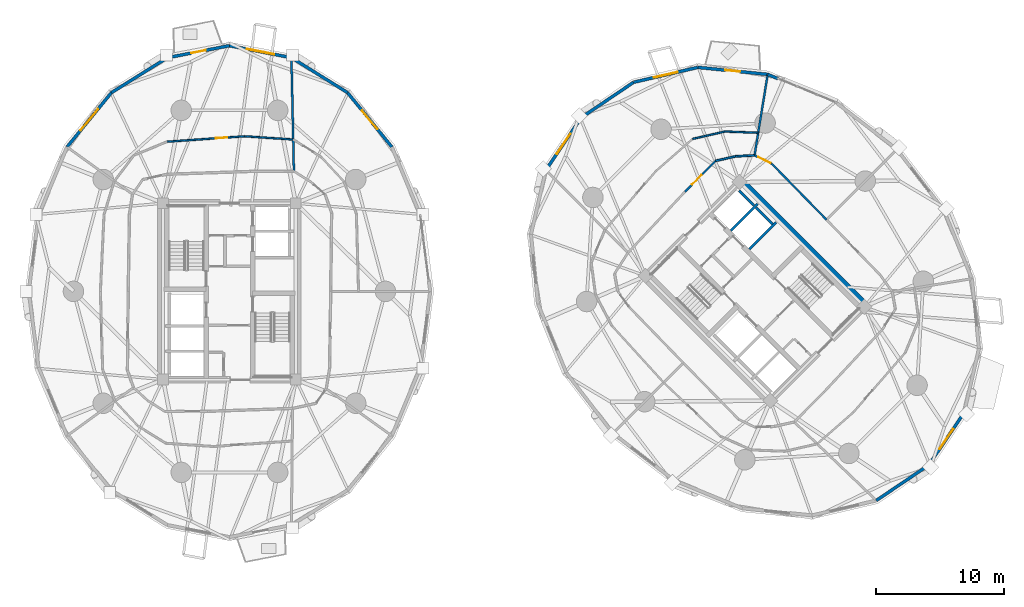
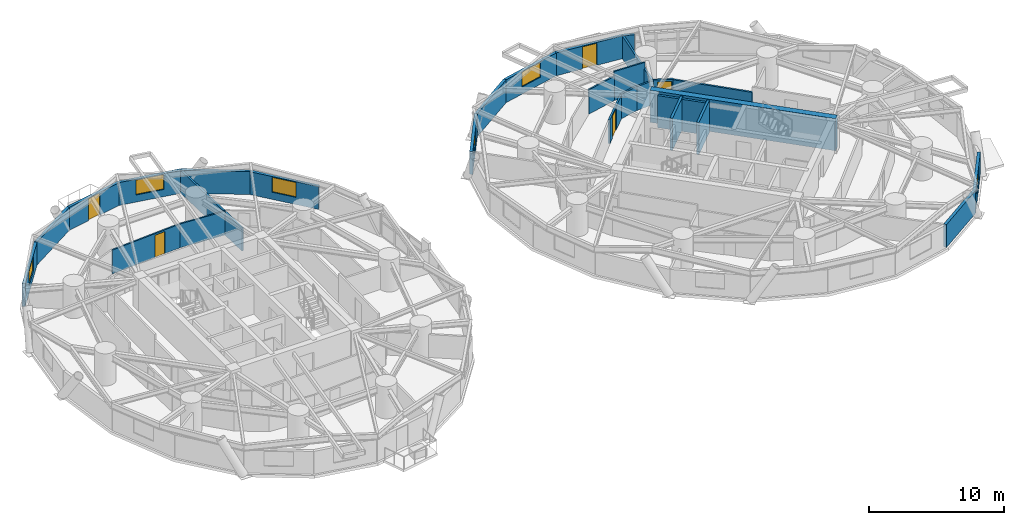
# One storey, part 14 of 18: 29 walls, 6 windows, 5 doors, 11 openings.
"""IFC4 building model written with IfcOpenShell, lengths in metres."""

from ifc_helpers import new_model, si_unit, direction, frame, frame_2d, origin, place, context, subcontext, project, spatial, rectangle, extrude, source, transform, mapped, material, layer, layer_set, type_object, element, fill, save


model = new_model("IFC4")

# Units and contexts
model_context = context("Model", 3, precision=1e-05, world=origin(), true_north=direction((0.0, 1.0)))
body_context = subcontext(model_context, "Body", "Model", "MODEL_VIEW")
ifc_project = project(units=[si_unit("LENGTHUNIT", "METRE"), si_unit("AREAUNIT", "SQUARE_METRE"), si_unit("VOLUMEUNIT", "CUBIC_METRE"), si_unit("PLANEANGLEUNIT", "RADIAN"), si_unit("MASSUNIT", "GRAM", prefix="KILO")], contexts=[model_context])

# Site, building, storey
site_placement = place(None, origin())
site = spatial("IfcSite", under=ifc_project, at=site_placement, CompositionType="ELEMENT")
building_placement = place(site_placement, origin())
building = spatial("IfcBuilding", under=site, at=building_placement, Name="Cununo Teusaquillo Station Towers", CompositionType="ELEMENT")
storey_placement = place(building_placement, frame((0.0, 0.0, 56.919921875)))
storey = spatial("IfcBuildingStorey", under=building, at=storey_placement, Name="L17", CompositionType="ELEMENT", Elevation=56.919921875)

# Walls
ifc_material_1 = material(Name="Concrete C50/60", Category="concrete")
ifc_layer_1 = layer(ifc_material_1, 0.199951171875)
ifc_layer_set_1 = layer_set([ifc_layer_1], Name="Concrete C50/60")
wall_type_1 = type_object("IfcWallType", Name="WL-CORE-200", PredefinedType="SHEAR", material=ifc_layer_set_1)
wall_1_placement = place(storey_placement, frame((57.0615234375, 27.781005859375, 0.0), z_axis=(0.0, 0.0, 1.0), x_axis=(0.707106781187, 0.707106781187, 0.0)))
element("IfcWall", 1, at=wall_1_placement, inside=storey, type_object=wall_type_1, Name="L17 Tower B Low-Rise Lift Hoistway South Shear Wall", PredefinedType="SHEAR", context=body_context, shape_type="SweptSolid", body=[
    extrude(rectangle(XDim=2.969970703125, YDim=0.199951171875, at=frame_2d((1.48486328125, 0.0))), origin(), (0.0, 0.0, 1.0), 2.91015625),
])
wall_2_placement = place(storey_placement, frame((55.615478515625, 29.22705078125, 0.0), z_axis=(0.0, 0.0, 1.0), x_axis=(0.707147878904, 0.70706568108, 0.0)))
element("IfcWall", 2, at=wall_2_placement, inside=storey, type_object=wall_type_1, Name="L17 Tower B Low-Rise Lift Hoistway Divider Shear Wall", PredefinedType="SHEAR", context=body_context, shape_type="SweptSolid", body=[
    extrude(rectangle(XDim=2.97021484375, YDim=0.199951171875, at=frame_2d((1.485107421875, 0.0))), origin(), (0.0, 0.0, 1.0), 2.91015625),
])
wall_3_placement = place(storey_placement, frame((58.86474609375, 29.75390625, 0.0), z_axis=(0.0, 0.0, 1.0), x_axis=(-0.707174411312, 0.707039144592, 0.0)))
element("IfcWall", 3, at=wall_3_placement, inside=storey, type_object=wall_type_1, Name="L17 Tower B Low-Rise Lift 1 Shaft Rear Shear Wall", PredefinedType="SHEAR", context=body_context, shape_type="SweptSolid", body=[
    extrude(rectangle(XDim=1.804931640625, YDim=0.199951171875, at=frame_2d((0.90234375, 0.0))), origin(), (0.0, 0.0, 1.0), 2.91015625),
])
wall_4_placement = place(storey_placement, frame((57.418701171875, 31.19970703125, 0.0), z_axis=(0.0, 0.0, 1.0), x_axis=(-0.707032117043, 0.707181437447, 0.0)))
element("IfcWall", 4, at=wall_4_placement, inside=storey, type_object=wall_type_1, Name="L17 Tower B Low-Rise Lift 2 Shaft Rear Shear Wall", PredefinedType="SHEAR", context=body_context, shape_type="SweptSolid", body=[
    extrude(rectangle(XDim=1.635009765625, YDim=0.199951171875, at=frame_2d((0.8173828125, 0.0))), origin(), (0.0, 0.0, 1.0), 2.91015625),
])
ifc_material_2 = material(Name="Concrete C60/75", Category="concrete")
ifc_layer_2 = layer(ifc_material_2, 0.5)
ifc_layer_set_2 = layer_set([ifc_layer_2], Name="Concrete C60/75")
wall_type_2 = type_object("IfcWallType", Name="WL-CORE-500", PredefinedType="SHEAR", material=ifc_layer_set_2)
wall_5_placement = place(storey_placement, frame((66.3388671875, 23.227294921875, 0.0), z_axis=(0.0, 0.0, 1.0), x_axis=(-0.707106781187, 0.707106781187, 0.0)))
element("IfcWall", 5, at=wall_5_placement, inside=storey, type_object=wall_type_2, Name="L17 Tower B Core Shear Wall E", PredefinedType="SHEAR", context=body_context, shape_type="SweptSolid", body=[
    extrude(rectangle(XDim=14.2998046875, YDim=0.5, at=frame_2d((7.14990234375, 0.0))), origin(), (0.0, 0.0, 1.0), 2.91015625),
])

# Wall, opening, window
ifc_material_3 = material(Name="Precast concrete C40/50", Category="concrete")
ifc_layer_3 = layer(ifc_material_3, 0.239990234375)
ifc_layer_set_3 = layer_set([ifc_layer_3], Name="Precast concrete C40/50")
wall_type_3 = type_object("IfcWallType", Name="WL-EXT-240", PredefinedType="SOLIDWALL", material=ifc_layer_set_3)
wall_6_placement = place(storey_placement, frame((25.70654296875, 40.0087890625, 0.0), z_axis=(0.0, 0.0, 1.0), x_axis=(0.632713287022, -0.77438614168, 0.0)))
wall_6 = element("IfcWall", 6, at=wall_6_placement, inside=storey, type_object=wall_type_3, Name="L17 Tower A Exterior Facade Wall C02", PredefinedType="SOLIDWALL", context=body_context, shape_type="SweptSolid", body=[
    extrude(rectangle(XDim=5.4765625, YDim=0.239990234375, at=frame_2d((2.73828125, 0.0))), origin(), (0.0, 0.0, 1.0), 2.072998046875),
])
shared_shape_1 = source(origin(), body_context, "Body", "SweptSolid", [
    extrude(rectangle(XDim=1.89990234375, YDim=1.35009765625, at=frame_2d((0.949951171875, 0.675048828125))), frame((0.0, 0.1298828125, 0.0), z_axis=(0.0, -1.0, 0.0), x_axis=(1.0, 0.0, 0.0)), (0.0, 0.0, 1.0), 0.260009765625),
])
opening_1_placement = place(wall_6_placement, frame((1.7880859375, 0.0, 0.64990234375)))
opening_1 = element("IfcOpeningElement", 7, at=opening_1_placement, cuts=wall_6, Name="Opening WN-02", PredefinedType="OPENING", context=body_context, shape_type="MappedRepresentation", body=[
    mapped(shared_shape_1, transform((0.0, 0.0, 0.0), x_axis=(1.0, 0.0, 0.0), y_axis=(0.0, 1.0, 0.0), z_axis=(0.0, 0.0, 1.0), scale=1.0)),
])
ifc_material_4 = material(Name="Operable acoustic tinted low-E double glazing", Category="glass")
window_type_1 = type_object("IfcWindowType", Name="WIN-OPER-1900", PartitioningType="DOUBLE_PANEL_VERTICAL", PredefinedType="WINDOW", material=ifc_material_4)
shared_shape_2 = source(origin(), body_context, "Body", "SweptSolid", [
    extrude(rectangle(XDim=1.89990234375, YDim=1.35009765625, at=frame_2d((0.949951171875, 0.675048828125))), frame((0.0, 0.030029296875, 0.0), z_axis=(0.0, -1.0, 0.0), x_axis=(1.0, 0.0, 0.0)), (0.0, 0.0, 1.0), 0.06005859375),
])
window_1_placement = place(opening_1_placement, origin())
window_1 = element("IfcWindow", 8, at=window_1_placement, inside=storey, type_object=window_type_1, Name="L17 Tower A Facade Window C02", OverallHeight=1.35009765625, OverallWidth=1.89990234375, PartitioningType="DOUBLE_PANEL_VERTICAL", PredefinedType="WINDOW", context=body_context, shape_type="MappedRepresentation", body=[
    mapped(shared_shape_2, transform((0.0, 0.0, 0.0), x_axis=(1.0, 0.0, 0.0), y_axis=(0.0, 1.0, 0.0), z_axis=(0.0, 0.0, 1.0), scale=1.0)),
])
fill(opening_1, window_1)

# Wall
wall_7_placement = place(storey_placement, frame((21.340087890625, 42.731689453125, 0.0), z_axis=(0.0, 0.0, 1.0), x_axis=(0.848533613342, -0.529141481107, 0.0)))
element("IfcWall", 9, at=wall_7_placement, inside=storey, type_object=wall_type_3, Name="L17 Tower A Exterior Facade Wall C03", PredefinedType="SOLIDWALL", context=body_context, shape_type="SweptSolid", body=[
    extrude(rectangle(XDim=5.14599609375, YDim=0.239990234375, at=frame_2d((2.572998046875, 0.0))), origin(), (0.0, 0.0, 1.0), 2.072998046875),
])

# Wall, opening, window
wall_8_placement = place(storey_placement, frame((16.5, 43.669921875, 0.0), z_axis=(0.0, 0.0, 1.0), x_axis=(0.981725274071, -0.190303668512, 0.0)))
wall_8 = element("IfcWall", 10, at=wall_8_placement, inside=storey, type_object=wall_type_3, Name="L17 Tower A Exterior Facade Wall C04", PredefinedType="SOLIDWALL", context=body_context, shape_type="SweptSolid", body=[
    extrude(rectangle(XDim=4.93017578125, YDim=0.239990234375, at=frame_2d((2.465087890625, 0.0))), origin(), (0.0, 0.0, 1.0), 2.072998046875),
])
shared_shape_3 = source(origin(), body_context, "Body", "SweptSolid", [
    extrude(rectangle(XDim=2.199951171875, YDim=1.35009765625, at=frame_2d((1.10009765625, 0.675048828125))), frame((0.0, 0.1298828125, 0.0), z_axis=(0.0, -1.0, 0.0), x_axis=(1.0, 0.0, 0.0)), (0.0, 0.0, 1.0), 0.260009765625),
])
opening_2_placement = place(wall_8_placement, frame((1.364990234375, 0.0, 0.64990234375)))
opening_2 = element("IfcOpeningElement", 11, at=opening_2_placement, cuts=wall_8, Name="Opening WN-01", PredefinedType="OPENING", context=body_context, shape_type="MappedRepresentation", body=[
    mapped(shared_shape_3, transform((0.0, 0.0, 0.0), x_axis=(1.0, 0.0, 0.0), y_axis=(0.0, 1.0, 0.0), z_axis=(0.0, 0.0, 1.0), scale=1.0)),
])
ifc_material_5 = material(Name="Ceramic-fritted dark low-E double glazing", Category="glass")
window_type_2 = type_object("IfcWindowType", Name="WIN-FRIT-2200", PartitioningType="DOUBLE_PANEL_VERTICAL", PredefinedType="WINDOW", material=ifc_material_5)
shared_shape_4 = source(origin(), body_context, "Body", "SweptSolid", [
    extrude(rectangle(XDim=2.199951171875, YDim=1.35009765625, at=frame_2d((1.10009765625, 0.675048828125))), frame((0.0, 0.030029296875, 0.0), z_axis=(0.0, -1.0, 0.0), x_axis=(1.0, 0.0, 0.0)), (0.0, 0.0, 1.0), 0.06005859375),
])
window_2_placement = place(opening_2_placement, origin())
window_2 = element("IfcWindow", 12, at=window_2_placement, inside=storey, type_object=window_type_2, Name="L17 Tower A Facade Window C04", OverallHeight=1.35009765625, OverallWidth=2.199951171875, PartitioningType="DOUBLE_PANEL_VERTICAL", PredefinedType="WINDOW", context=body_context, shape_type="MappedRepresentation", body=[
    mapped(shared_shape_4, transform((0.0, 0.0, 0.0), x_axis=(1.0, 0.0, 0.0), y_axis=(0.0, 1.0, 0.0), z_axis=(0.0, 0.0, 1.0), scale=1.0)),
])
fill(opening_2, window_2)

# Wall, opening, door
wall_9_placement = place(storey_placement, frame((11.659912109375, 42.731689453125, 0.0), z_axis=(0.0, 0.0, 1.0), x_axis=(0.981725274071, 0.190303668512, 0.0)))
wall_9 = element("IfcWall", 13, at=wall_9_placement, inside=storey, type_object=wall_type_3, Name="L17 Tower A Exterior Facade Wall C05", PredefinedType="SOLIDWALL", context=body_context, shape_type="SweptSolid", body=[
    extrude(rectangle(XDim=4.93017578125, YDim=0.239990234375, at=frame_2d((2.465087890625, 0.0))), origin(), (0.0, 0.0, 1.0), 2.072998046875),
])
shared_shape_5 = source(origin(), body_context, "Body", "SweptSolid", [
    extrude(rectangle(XDim=1.14990234375, YDim=2.0048828125, at=frame_2d((0.574951171875, 1.00244140625))), frame((0.0, 0.1298828125, 0.0), z_axis=(0.0, -1.0, 0.0), x_axis=(1.0, 0.0, 0.0)), (0.0, 0.0, 1.0), 0.260009765625),
])
opening_3_placement = place(wall_9_placement, frame((1.889892578125, 0.0, 0.0)))
opening_3 = element("IfcOpeningElement", 14, at=opening_3_placement, cuts=wall_9, Name="Opening ED-03", PredefinedType="OPENING", context=body_context, shape_type="MappedRepresentation", body=[
    mapped(shared_shape_5, transform((0.0, 0.0, 0.0), x_axis=(1.0, 0.0, 0.0), y_axis=(0.0, 1.0, 0.0), z_axis=(0.0, 0.0, 1.0), scale=1.0)),
])
ifc_material_6 = material(Name="Anodised dark bronze aluminium EN AW-6063-T6", Category="aluminium")
door_type_1 = type_object("IfcDoorType", Name="DR-EXT-BAL", OperationType="NOTDEFINED", PredefinedType="DOOR", material=ifc_material_6)
shared_shape_6 = source(origin(), body_context, "Body", "SweptSolid", [
    extrude(rectangle(XDim=1.14990234375, YDim=2.0048828125, at=frame_2d((0.574951171875, 1.00244140625))), frame((0.0, 0.02490234375, 0.0), z_axis=(0.0, -1.0, 0.0), x_axis=(1.0, 0.0, 0.0)), (0.0, 0.0, 1.0), 0.050048828125),
])
door_1_placement = place(opening_3_placement, origin())
door_1 = element("IfcDoor", 15, at=door_1_placement, inside=storey, type_object=door_type_1, Name="L17 Tower A Tree Balcony Door C05", OperationType="SINGLE_SWING_LEFT", OverallHeight=2.0048828125, OverallWidth=1.14990234375, PredefinedType="DOOR", context=body_context, shape_type="MappedRepresentation", body=[
    mapped(shared_shape_6, transform((0.0, 0.0, 0.0), x_axis=(1.0, 0.0, 0.0), y_axis=(0.0, 1.0, 0.0), z_axis=(0.0, 0.0, 1.0), scale=1.0)),
])
fill(opening_3, door_1)

# Wall
wall_10_placement = place(storey_placement, frame((7.29345703125, 40.0087890625, 0.0), z_axis=(0.0, 0.0, 1.0), x_axis=(0.848533613342, 0.529141481107, 0.0)))
element("IfcWall", 16, at=wall_10_placement, inside=storey, type_object=wall_type_3, Name="L17 Tower A Exterior Facade Wall C06", PredefinedType="SOLIDWALL", context=body_context, shape_type="SweptSolid", body=[
    extrude(rectangle(XDim=5.14599609375, YDim=0.239990234375, at=frame_2d((2.572998046875, 0.0))), origin(), (0.0, 0.0, 1.0), 2.072998046875),
])

# Wall, opening, window
wall_11_placement = place(storey_placement, frame((3.828369140625, 35.767822265625, 0.0), z_axis=(0.0, 0.0, 1.0), x_axis=(0.632713287022, 0.77438614168, 0.0)))
wall_11 = element("IfcWall", 17, at=wall_11_placement, inside=storey, type_object=wall_type_3, Name="L17 Tower A Exterior Facade Wall C07", PredefinedType="SOLIDWALL", context=body_context, shape_type="SweptSolid", body=[
    extrude(rectangle(XDim=5.4765625, YDim=0.239990234375, at=frame_2d((2.73828125, 0.0))), origin(), (0.0, 0.0, 1.0), 2.072998046875),
])
opening_4_placement = place(wall_11_placement, frame((1.637939453125, 0.0, 0.64990234375)))
opening_4 = element("IfcOpeningElement", 18, at=opening_4_placement, cuts=wall_11, Name="Opening WN-01", PredefinedType="OPENING", context=body_context, shape_type="MappedRepresentation", body=[
    mapped(shared_shape_3, transform((0.0, 0.0, 0.0), x_axis=(1.0, 0.0, 0.0), y_axis=(0.0, 1.0, 0.0), z_axis=(0.0, 0.0, 1.0), scale=1.0)),
])
window_3_placement = place(opening_4_placement, origin())
window_3 = element("IfcWindow", 19, at=window_3_placement, inside=storey, type_object=window_type_2, Name="L17 Tower A Facade Window C07", OverallHeight=1.35009765625, OverallWidth=2.199951171875, PartitioningType="DOUBLE_PANEL_VERTICAL", PredefinedType="WINDOW", context=body_context, shape_type="MappedRepresentation", body=[
    mapped(shared_shape_4, transform((0.0, 0.0, 0.0), x_axis=(1.0, 0.0, 0.0), y_axis=(0.0, 1.0, 0.0), z_axis=(0.0, 0.0, 1.0), scale=1.0)),
])
fill(opening_4, window_3)

# Wall
wall_12_placement = place(storey_placement, frame((58.49267578125, 41.427734375, 0.0), z_axis=(0.0, 0.0, 1.0), x_axis=(0.924556017656, -0.381046152345, 0.0)))
element("IfcWall", 20, at=wall_12_placement, inside=storey, type_object=wall_type_3, Name="L17 Tower B Column Pier Cladding Wall C01-PA", PredefinedType="SOLIDWALL", context=body_context, shape_type="SweptSolid", body=[
    extrude(rectangle(XDim=0.8701171875, YDim=0.239990234375, at=frame_2d((0.43505859375, 0.0))), origin(), (0.0, 0.0, 1.0), 2.072998046875),
])

# Wall, opening, door
wall_13_placement = place(storey_placement, frame((53.04345703125, 41.976318359375, 0.0), z_axis=(0.0, 0.0, 1.0), x_axis=(0.994970765694, -0.100165739718, 0.0)))
wall_13 = element("IfcWall", 21, at=wall_13_placement, inside=storey, type_object=wall_type_3, Name="L17 Tower B Exterior Facade Wall C02", PredefinedType="SOLIDWALL", context=body_context, shape_type="SweptSolid", body=[
    extrude(rectangle(XDim=5.476806640625, YDim=0.239990234375, at=frame_2d((2.73828125, 0.0))), origin(), (0.0, 0.0, 1.0), 2.072998046875),
])
opening_5_placement = place(wall_13_placement, frame((2.1630859375, 0.0, 0.0)))
opening_5 = element("IfcOpeningElement", 22, at=opening_5_placement, cuts=wall_13, Name="Opening ED-03", PredefinedType="OPENING", context=body_context, shape_type="MappedRepresentation", body=[
    mapped(shared_shape_5, transform((0.0, 0.0, 0.0), x_axis=(1.0, 0.0, 0.0), y_axis=(0.0, 1.0, 0.0), z_axis=(0.0, 0.0, 1.0), scale=1.0)),
])
door_2_placement = place(opening_5_placement, origin())
door_2 = element("IfcDoor", 23, at=door_2_placement, inside=storey, type_object=door_type_1, Name="L17 Tower B Tree Balcony Door C02", OperationType="SINGLE_SWING_LEFT", OverallHeight=2.0048828125, OverallWidth=1.14990234375, PredefinedType="DOOR", context=body_context, shape_type="MappedRepresentation", body=[
    mapped(shared_shape_6, transform((0.0, 0.0, 0.0), x_axis=(1.0, 0.0, 0.0), y_axis=(0.0, 1.0, 0.0), z_axis=(0.0, 0.0, 1.0), scale=1.0)),
])
fill(opening_5, door_2)

# Wall, opening, window
wall_14_placement = place(storey_placement, frame((48.030517578125, 40.814208984375, 0.0), z_axis=(0.0, 0.0, 1.0), x_axis=(0.974166016949, 0.225833060959, 0.0)))
wall_14 = element("IfcWall", 24, at=wall_14_placement, inside=storey, type_object=wall_type_3, Name="L17 Tower B Exterior Facade Wall C03", PredefinedType="SOLIDWALL", context=body_context, shape_type="SweptSolid", body=[
    extrude(rectangle(XDim=5.14599609375, YDim=0.239990234375, at=frame_2d((2.572998046875, 0.0))), origin(), (0.0, 0.0, 1.0), 2.072998046875),
])
opening_6_placement = place(wall_14_placement, frame((1.623046875, 0.0, 0.64990234375)))
opening_6 = element("IfcOpeningElement", 25, at=opening_6_placement, cuts=wall_14, Name="Opening WN-02", PredefinedType="OPENING", context=body_context, shape_type="MappedRepresentation", body=[
    mapped(shared_shape_1, transform((0.0, 0.0, 0.0), x_axis=(1.0, 0.0, 0.0), y_axis=(0.0, 1.0, 0.0), z_axis=(0.0, 0.0, 1.0), scale=1.0)),
])
window_4_placement = place(opening_6_placement, origin())
window_4 = element("IfcWindow", 26, at=window_4_placement, inside=storey, type_object=window_type_1, Name="L17 Tower B Facade Window C03", OverallHeight=1.35009765625, OverallWidth=1.89990234375, PartitioningType="DOUBLE_PANEL_VERTICAL", PredefinedType="WINDOW", context=body_context, shape_type="MappedRepresentation", body=[
    mapped(shared_shape_2, transform((0.0, 0.0, 0.0), x_axis=(1.0, 0.0, 0.0), y_axis=(0.0, 1.0, 0.0), z_axis=(0.0, 0.0, 1.0), scale=1.0)),
])
fill(opening_6, window_4)

# Wall
wall_15_placement = place(storey_placement, frame((43.94482421875, 38.05517578125, 0.0), z_axis=(0.0, 0.0, 1.0), x_axis=(0.828736708604, 0.559638693991, 0.0)))
element("IfcWall", 27, at=wall_15_placement, inside=storey, type_object=wall_type_3, Name="L17 Tower B Exterior Facade Wall C04", PredefinedType="SOLIDWALL", context=body_context, shape_type="SweptSolid", body=[
    extrude(rectangle(XDim=4.929931640625, YDim=0.239990234375, at=frame_2d((2.46484375, 0.0))), origin(), (0.0, 0.0, 1.0), 2.072998046875),
])

# Wall, opening, window
wall_16_placement = place(storey_placement, frame((41.185791015625, 33.969482421875, 0.0), z_axis=(0.0, 0.0, 1.0), x_axis=(0.559638693991, 0.828736708604, 0.0)))
wall_16 = element("IfcWall", 28, at=wall_16_placement, inside=storey, type_object=wall_type_3, Name="L17 Tower B Exterior Facade Wall C05", PredefinedType="SOLIDWALL", context=body_context, shape_type="SweptSolid", body=[
    extrude(rectangle(XDim=4.929931640625, YDim=0.239990234375, at=frame_2d((2.46484375, 0.0))), origin(), (0.0, 0.0, 1.0), 2.072998046875),
])
opening_7_placement = place(wall_16_placement, frame((1.514892578125, 0.0, 0.64990234375)))
opening_7 = element("IfcOpeningElement", 29, at=opening_7_placement, cuts=wall_16, Name="Opening WN-02", PredefinedType="OPENING", context=body_context, shape_type="MappedRepresentation", body=[
    mapped(shared_shape_1, transform((0.0, 0.0, 0.0), x_axis=(1.0, 0.0, 0.0), y_axis=(0.0, 1.0, 0.0), z_axis=(0.0, 0.0, 1.0), scale=1.0)),
])
window_5_placement = place(opening_7_placement, origin())
window_5 = element("IfcWindow", 30, at=window_5_placement, inside=storey, type_object=window_type_1, Name="L17 Tower B Facade Window C05", OverallHeight=1.35009765625, OverallWidth=1.89990234375, PartitioningType="DOUBLE_PANEL_VERTICAL", PredefinedType="WINDOW", context=body_context, shape_type="MappedRepresentation", body=[
    mapped(shared_shape_2, transform((0.0, 0.0, 0.0), x_axis=(1.0, 0.0, 0.0), y_axis=(0.0, 1.0, 0.0), z_axis=(0.0, 0.0, 1.0), scale=1.0)),
])
fill(opening_7, window_5)

# Wall
wall_17_placement = place(storey_placement, frame((71.05517578125, 10.94482421875, 0.0), z_axis=(0.0, 0.0, 1.0), x_axis=(-0.828736708604, -0.559638693991, 0.0)))
element("IfcWall", 31, at=wall_17_placement, inside=storey, type_object=wall_type_3, Name="L17 Tower B Exterior Facade Wall C14", PredefinedType="SOLIDWALL", context=body_context, shape_type="SweptSolid", body=[
    extrude(rectangle(XDim=4.929931640625, YDim=0.239990234375, at=frame_2d((2.46484375, 0.0))), origin(), (0.0, 0.0, 1.0), 2.072998046875),
])

# Wall, opening, window
wall_18_placement = place(storey_placement, frame((73.814208984375, 15.030517578125, 0.0), z_axis=(0.0, 0.0, 1.0), x_axis=(-0.559638693991, -0.828736708604, 0.0)))
wall_18 = element("IfcWall", 32, at=wall_18_placement, inside=storey, type_object=wall_type_3, Name="L17 Tower B Exterior Facade Wall C15", PredefinedType="SOLIDWALL", context=body_context, shape_type="SweptSolid", body=[
    extrude(rectangle(XDim=4.929931640625, YDim=0.239990234375, at=frame_2d((2.46484375, 0.0))), origin(), (0.0, 0.0, 1.0), 2.072998046875),
])
opening_8_placement = place(wall_18_placement, frame((1.514892578125, 0.0, 0.64990234375)))
opening_8 = element("IfcOpeningElement", 33, at=opening_8_placement, cuts=wall_18, Name="Opening WN-02", PredefinedType="OPENING", context=body_context, shape_type="MappedRepresentation", body=[
    mapped(shared_shape_1, transform((0.0, 0.0, 0.0), x_axis=(1.0, 0.0, 0.0), y_axis=(0.0, 1.0, 0.0), z_axis=(0.0, 0.0, 1.0), scale=1.0)),
])
window_6_placement = place(opening_8_placement, origin())
window_6 = element("IfcWindow", 34, at=window_6_placement, inside=storey, type_object=window_type_1, Name="L17 Tower B Facade Window C15", OverallHeight=1.35009765625, OverallWidth=1.89990234375, PartitioningType="DOUBLE_PANEL_VERTICAL", PredefinedType="WINDOW", context=body_context, shape_type="MappedRepresentation", body=[
    mapped(shared_shape_2, transform((0.0, 0.0, 0.0), x_axis=(1.0, 0.0, 0.0), y_axis=(0.0, 1.0, 0.0), z_axis=(0.0, 0.0, 1.0), scale=1.0)),
])
fill(opening_8, window_6)

# Wall
ifc_material_7 = material(Name="Fire-rated gypsum plasterboard partition assembly", Category="gypsum")
ifc_layer_4 = layer(ifc_material_7, 0.125)
ifc_layer_set_4 = layer_set([ifc_layer_4], Name="Fire-rated gypsum plasterboard partition assembly")
wall_type_4 = type_object("IfcWallType", Name="WL-PART-125", PredefinedType="PARTITIONING", material=ifc_layer_set_4)
wall_19_placement = place(storey_placement, frame((21.472900390625, 36.348388671875, 0.0), z_axis=(0.0, 0.0, 1.0), x_axis=(-0.997789137643, 0.066459286803, 0.0)))
element("IfcWall", 35, at=wall_19_placement, inside=storey, type_object=wall_type_4, Name="L17 Tower A Hotel Private Banquet Salon Concentric Partition Wall C04", PredefinedType="PARTITIONING", context=body_context, shape_type="SweptSolid", body=[
    extrude(rectangle(XDim=3.79833984375, YDim=0.125, at=frame_2d((1.899169921875, 0.0))), origin(), (0.0, 0.0, 1.0), 2.1591796875),
])

# Wall, opening, door
wall_20_placement = place(storey_placement, frame((17.682861328125, 36.600830078125, 0.0), z_axis=(0.0, 0.0, 1.0), x_axis=(-0.997569247495, -0.06968210998, 0.0)))
wall_20 = element("IfcWall", 36, at=wall_20_placement, inside=storey, type_object=wall_type_4, Name="L17 Tower A Hotel Private Banquet Salon Concentric Partition Wall C05", PredefinedType="PARTITIONING", context=body_context, shape_type="SweptSolid", body=[
    extrude(rectangle(XDim=6.064697265625, YDim=0.125, at=frame_2d((3.0322265625, 0.0))), origin(), (0.0, 0.0, 1.0), 2.1591796875),
])
shared_shape_7 = source(origin(), body_context, "Body", "SweptSolid", [
    extrude(rectangle(XDim=0.89990234375, YDim=2.0048828125, at=frame_2d((0.449951171875, 1.00244140625))), frame((0.0, 0.072509765625, 0.0), z_axis=(0.0, -1.0, 0.0), x_axis=(1.0, 0.0, 0.0)), (0.0, 0.0, 1.0), 0.14501953125),
])
opening_9_placement = place(wall_20_placement, frame((1.351318359375, 0.0, 0.0)))
opening_9 = element("IfcOpeningElement", 37, at=opening_9_placement, cuts=wall_20, Name="Opening D-IN1", PredefinedType="OPENING", context=body_context, shape_type="MappedRepresentation", body=[
    mapped(shared_shape_7, transform((0.0, 0.0, 0.0), x_axis=(1.0, 0.0, 0.0), y_axis=(0.0, 1.0, 0.0), z_axis=(0.0, 0.0, 1.0), scale=1.0)),
])
ifc_material_8 = material(Name="Acoustic solid-core hardwood leaf assembly", Category="wood")
door_type_2 = type_object("IfcDoorType", Name="DR-INT-900", OperationType="NOTDEFINED", PredefinedType="DOOR", material=ifc_material_8)
shared_shape_8 = source(origin(), body_context, "Body", "SweptSolid", [
    extrude(rectangle(XDim=0.89990234375, YDim=2.0048828125, at=frame_2d((0.449951171875, 1.00244140625))), frame((0.0, 0.02490234375, 0.0), z_axis=(0.0, -1.0, 0.0), x_axis=(1.0, 0.0, 0.0)), (0.0, 0.0, 1.0), 0.050048828125),
])
door_3_placement = place(opening_9_placement, origin())
door_3 = element("IfcDoor", 38, at=door_3_placement, inside=storey, type_object=door_type_2, Name="L17 Tower A Hotel Private Banquet Salon Connecting Door", OperationType="SINGLE_SWING_LEFT", OverallHeight=2.0048828125, OverallWidth=0.89990234375, PredefinedType="DOOR", context=body_context, shape_type="MappedRepresentation", body=[
    mapped(shared_shape_8, transform((0.0, 0.0, 0.0), x_axis=(1.0, 0.0, 0.0), y_axis=(0.0, 1.0, 0.0), z_axis=(0.0, 0.0, 1.0), scale=1.0)),
])
fill(opening_9, door_3)

# Walls
wall_21_placement = place(storey_placement, frame((57.753173828125, 36.87451171875, 0.0), z_axis=(0.0, 0.0, 1.0), x_axis=(-0.999273083568, 0.038122230487, 0.0)))
element("IfcWall", 39, at=wall_21_placement, inside=storey, type_object=wall_type_4, Name="L17 Tower B Hotel Private Banquet Salon Concentric Partition Wall C02", PredefinedType="PARTITIONING", context=body_context, shape_type="SweptSolid", body=[
    extrude(rectangle(XDim=2.59375, YDim=0.125, at=frame_2d((1.296875, 0.0))), origin(), (0.0, 0.0, 1.0), 2.635009765625),
])
wall_22_placement = place(storey_placement, frame((55.161376953125, 36.973388671875, 0.0), z_axis=(0.0, 0.0, 1.0), x_axis=(-0.974659115422, -0.223695348019, 0.0)))
element("IfcWall", 40, at=wall_22_placement, inside=storey, type_object=wall_type_4, Name="L17 Tower B Hotel Private Banquet Salon Concentric Partition Wall C03", PredefinedType="PARTITIONING", context=body_context, shape_type="SweptSolid", body=[
    extrude(rectangle(XDim=2.5888671875, YDim=0.125, at=frame_2d((1.29443359375, 0.0))), origin(), (0.0, 0.0, 1.0), 2.205078125),
])
ifc_material_9 = material(Name="Fire-rated gypsum plasterboard partition assembly", Category="gypsum")
ifc_layer_5 = layer(ifc_material_9, 0.14990234375)
ifc_layer_set_5 = layer_set([ifc_layer_5], Name="Fire-rated gypsum plasterboard partition assembly")
wall_type_5 = type_object("IfcWallType", Name="WL-PART-150", PredefinedType="PARTITIONING", material=ifc_layer_set_5)
wall_23_placement = place(storey_placement, frame((63.086181640625, 30.086181640625, 0.0), z_axis=(0.0, 0.0, 1.0), x_axis=(-0.699075897379, 0.715047473741, 0.0)))
element("IfcWall", 41, at=wall_23_placement, inside=storey, type_object=wall_type_5, Name="L17 Tower B Corridor Ring Wall C00", PredefinedType="PARTITIONING", context=body_context, shape_type="SweptSolid", body=[
    extrude(rectangle(XDim=6.1142578125, YDim=0.14990234375, at=frame_2d((3.05712890625, 0.0))), origin(), (0.0, 0.0, 1.0), 2.1591796875),
])

# Wall, opening, door
wall_24_placement = place(storey_placement, frame((58.811767578125, 34.458251953125, 0.0), z_axis=(0.0, 0.0, 1.0), x_axis=(-0.899559490277, 0.436798264021, 0.0)))
wall_24 = element("IfcWall", 42, at=wall_24_placement, inside=storey, type_object=wall_type_5, Name="L17 Tower B Corridor Ring Wall C01", PredefinedType="PARTITIONING", context=body_context, shape_type="SweptSolid", body=[
    extrude(rectangle(XDim=1.4951171875, YDim=0.14990234375, at=frame_2d((0.74755859375, 0.0))), origin(), (0.0, 0.0, 1.0), 2.205078125),
])
shared_shape_9 = source(origin(), body_context, "Body", "SweptSolid", [
    extrude(rectangle(XDim=1.050048828125, YDim=2.014892578125, at=frame_2d((0.52490234375, 1.00732421875))), frame((0.0, 0.0849609375, 0.0), z_axis=(0.0, -1.0, 0.0), x_axis=(1.0, 0.0, 0.0)), (0.0, 0.0, 1.0), 0.169921875),
])
opening_10_placement = place(wall_24_placement, frame((0.1201171875, 0.0, 0.0)))
opening_10 = element("IfcOpeningElement", 43, at=opening_10_placement, cuts=wall_24, Name="Opening D-SU1", PredefinedType="OPENING", context=body_context, shape_type="MappedRepresentation", body=[
    mapped(shared_shape_9, transform((0.0, 0.0, 0.0), x_axis=(1.0, 0.0, 0.0), y_axis=(0.0, 1.0, 0.0), z_axis=(0.0, 0.0, 1.0), scale=1.0)),
])
ifc_material_10 = material(Name="Acoustic solid-core hardwood leaf assembly", Category="wood")
door_type_3 = type_object("IfcDoorType", Name="DR-SUITE-1050", OperationType="NOTDEFINED", PredefinedType="DOOR", material=ifc_material_10)
shared_shape_10 = source(origin(), body_context, "Body", "SweptSolid", [
    extrude(rectangle(XDim=1.050048828125, YDim=2.014892578125, at=frame_2d((0.52490234375, 1.00732421875))), frame((0.0, 0.02490234375, 0.0), z_axis=(0.0, -1.0, 0.0), x_axis=(1.0, 0.0, 0.0)), (0.0, 0.0, 1.0), 0.050048828125),
])
door_4_placement = place(opening_10_placement, origin())
door_4 = element("IfcDoor", 44, at=door_4_placement, inside=storey, type_object=door_type_3, Name="L17 Tower B Hotel Sky Conservatory Lounge Entrance Door", OperationType="SINGLE_SWING_LEFT", OverallHeight=2.014892578125, OverallWidth=1.050048828125, PredefinedType="DOOR", context=body_context, shape_type="MappedRepresentation", body=[
    mapped(shared_shape_10, transform((0.0, 0.0, 0.0), x_axis=(1.0, 0.0, 0.0), y_axis=(0.0, 1.0, 0.0), z_axis=(0.0, 0.0, 1.0), scale=1.0)),
])
fill(opening_10, door_4)

# Walls
wall_25_placement = place(storey_placement, frame((57.466796875, 35.111328125, 0.0), z_axis=(0.0, 0.0, 1.0), x_axis=(-0.998691757323, -0.051134859488, 0.0)))
element("IfcWall", 45, at=wall_25_placement, inside=storey, type_object=wall_type_5, Name="L17 Tower B Corridor Ring Wall C02", PredefinedType="PARTITIONING", context=body_context, shape_type="SweptSolid", body=[
    extrude(rectangle(XDim=1.48486328125, YDim=0.14990234375, at=frame_2d((0.742431640625, 0.0))), origin(), (0.0, 0.0, 1.0), 2.1591796875),
])
wall_26_placement = place(storey_placement, frame((55.98388671875, 35.035400390625, 0.0), z_axis=(0.0, 0.0, 1.0), x_axis=(-0.975290305708, -0.22092718165, 0.0)))
element("IfcWall", 46, at=wall_26_placement, inside=storey, type_object=wall_type_5, Name="L17 Tower B Corridor Ring Wall C03", PredefinedType="PARTITIONING", context=body_context, shape_type="SweptSolid", body=[
    extrude(rectangle(XDim=1.596923828125, YDim=0.14990234375, at=frame_2d((0.79833984375, 0.0))), origin(), (0.0, 0.0, 1.0), 2.205078125),
])

# Wall, opening, door
wall_27_placement = place(storey_placement, frame((54.426513671875, 34.6826171875, 0.0), z_axis=(0.0, 0.0, 1.0), x_axis=(-0.704178989986, -0.710022499687, 0.0)))
wall_27 = element("IfcWall", 47, at=wall_27_placement, inside=storey, type_object=wall_type_5, Name="L17 Tower B Corridor Ring Wall C04", PredefinedType="PARTITIONING", context=body_context, shape_type="SweptSolid", body=[
    extrude(rectangle(XDim=3.38427734375, YDim=0.14990234375, at=frame_2d((1.692138671875, 0.0))), origin(), (0.0, 0.0, 1.0), 2.1591796875),
])
opening_11_placement = place(wall_27_placement, frame((1.5595703125, 0.0, 0.0)))
opening_11 = element("IfcOpeningElement", 48, at=opening_11_placement, cuts=wall_27, Name="Opening D-SU1", PredefinedType="OPENING", context=body_context, shape_type="MappedRepresentation", body=[
    mapped(shared_shape_9, transform((0.0, 0.0, 0.0), x_axis=(1.0, 0.0, 0.0), y_axis=(0.0, 1.0, 0.0), z_axis=(0.0, 0.0, 1.0), scale=1.0)),
])
door_5_placement = place(opening_11_placement, origin())
door_5 = element("IfcDoor", 49, at=door_5_placement, inside=storey, type_object=door_type_3, Name="L17 Tower B Hotel Private Banquet Salon Entrance Door", OperationType="SINGLE_SWING_RIGHT", OverallHeight=2.014892578125, OverallWidth=1.050048828125, PredefinedType="DOOR", context=body_context, shape_type="MappedRepresentation", body=[
    mapped(shared_shape_10, transform((0.0, 0.0, 0.0), x_axis=(1.0, 0.0, 0.0), y_axis=(0.0, 1.0, 0.0), z_axis=(0.0, 0.0, 1.0), scale=1.0)),
])
fill(opening_11, door_5)

# Walls
ifc_material_11 = material(Name="Fire-rated gypsum plasterboard partition assembly", Category="gypsum")
ifc_layer_6 = layer(ifc_material_11, 0.159912109375)
ifc_layer_set_6 = layer_set([ifc_layer_6], Name="Fire-rated gypsum plasterboard partition assembly")
wall_type_6 = type_object("IfcWallType", Name="WL-PART-160", PredefinedType="PARTITIONING", material=ifc_layer_set_6)
wall_28_placement = place(storey_placement, frame((21.52685546875, 33.873291015625, 0.0), z_axis=(0.0, 0.0, 1.0), x_axis=(-0.021814395676, 0.999762037758, 0.0)))
element("IfcWall", 50, at=wall_28_placement, inside=storey, type_object=wall_type_6, Name="L17 Tower A Radial Suite Partition R02", PredefinedType="PARTITIONING", context=body_context, shape_type="SweptSolid", body=[
    extrude(rectangle(XDim=8.841552734375, YDim=0.159912109375, at=frame_2d((4.4208984375, 0.0))), origin(), (0.0, 0.0, 1.0), 2.072998046875),
])
wall_29_placement = place(storey_placement, frame((57.466796875, 35.111328125, 0.0), z_axis=(0.0, 0.0, 1.0), x_axis=(0.160314040356, 0.987066060841, 0.0)))
element("IfcWall", 51, at=wall_29_placement, inside=storey, type_object=wall_type_6, Name="L17 Tower B Radial Suite Partition R02", PredefinedType="PARTITIONING", context=body_context, shape_type="SweptSolid", body=[
    extrude(rectangle(XDim=6.37939453125, YDim=0.159912109375, at=frame_2d((3.189697265625, 0.0))), origin(), (0.0, 0.0, 1.0), 2.072998046875),
])

save(model, "model.ifc")
